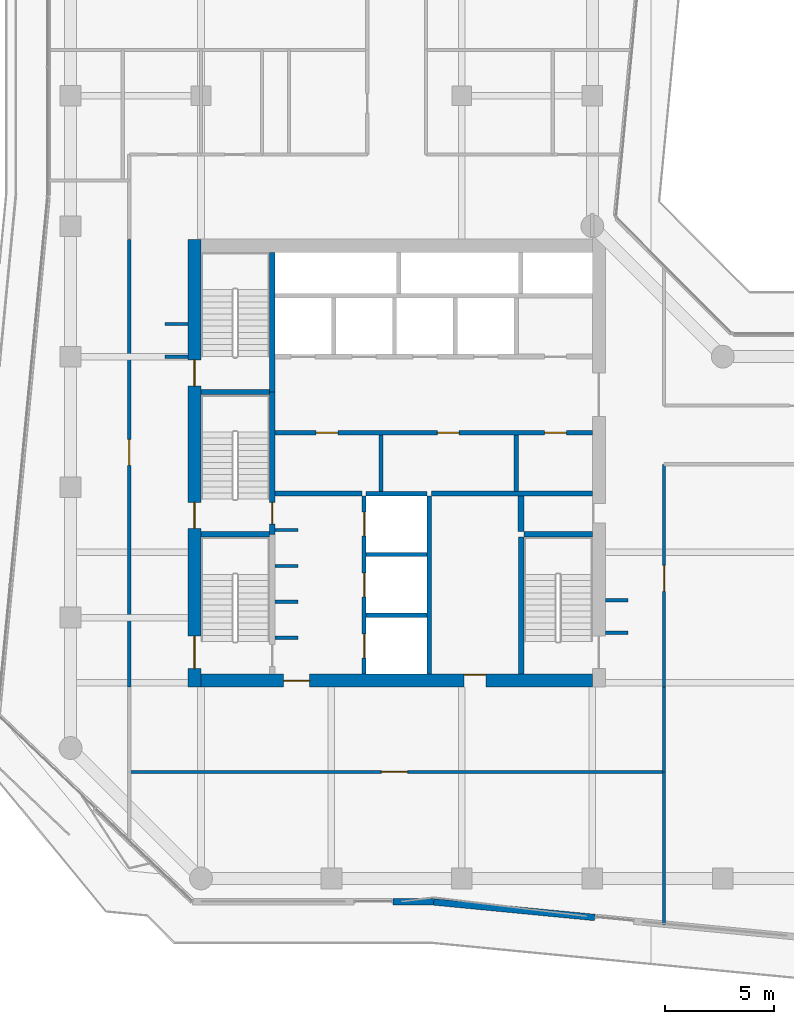
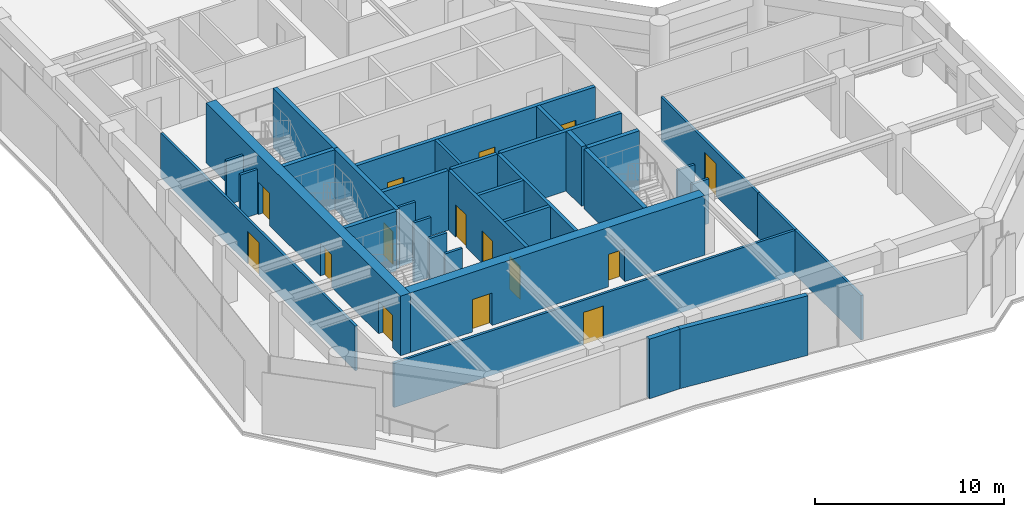
# One storey, part 19 of 23: 34 walls, 15 doors, 15 openings.
"""IFC4 building model written with IfcOpenShell, lengths in metres."""

from ifc_helpers import new_model, si_unit, direction, frame, frame_2d, origin, place, context, subcontext, project, spatial, rectangle, extrude, material, layer, layer_set, type_object, element, fill, save


model = new_model("IFC4")

# Units and contexts
model_context = context("Model", 3, precision=1e-05, world=origin(), true_north=direction((0.0, 1.0)))
body_context = subcontext(model_context, "Body", "Model", "MODEL_VIEW")
ifc_project = project(units=[si_unit("LENGTHUNIT", "METRE"), si_unit("AREAUNIT", "SQUARE_METRE"), si_unit("VOLUMEUNIT", "CUBIC_METRE"), si_unit("PLANEANGLEUNIT", "RADIAN"), si_unit("MASSUNIT", "GRAM", prefix="KILO")], contexts=[model_context])

# Site, building, storey
site_placement = place(None, origin())
site = spatial("IfcSite", under=ifc_project, at=site_placement, CompositionType="ELEMENT")
building_placement = place(site_placement, origin())
building = spatial("IfcBuilding", under=site, at=building_placement, Name="Welwitschia Terrace Campus", CompositionType="ELEMENT")
storey_placement = place(building_placement, frame((0.0, 0.0, 146.60009765625)))
storey = spatial("IfcBuildingStorey", under=building, at=storey_placement, Name="L32", CompositionType="ELEMENT", Elevation=146.60009765625)

# Walls
ifc_material_1 = material(Name="Concrete C32/40", Category="concrete")
ifc_layer_1 = layer(ifc_material_1, 0.175048828125)
ifc_layer_set_1 = layer_set([ifc_layer_1], Name="Concrete C32/40")
wall_type_1 = type_object("IfcWallType", Name="Core partition 175 Concrete C32/40", PredefinedType="PARTITIONING", material=ifc_layer_set_1)
wall_1_placement = place(storey_placement, frame((14.27490234375, 13.800048828125, 0.0), z_axis=(0.0, 0.0, 1.0), x_axis=(0.0, 1.0, 0.0)))
element("IfcWall", 1, at=wall_1_placement, inside=storey, type_object=wall_type_1, Name="Core partition", PredefinedType="PARTITIONING", context=body_context, shape_type="SweptSolid", body=[
    extrude(rectangle(XDim=2.599853515625, YDim=0.175048828125, at=frame_2d((1.2998046875, 0.0))), origin(), (0.0, 0.0, 1.0), 3.849853515625),
])
ifc_material_2 = material(Name="Concrete C32/40", Category="concrete")
ifc_layer_2 = layer(ifc_material_2, 0.22509765625)
ifc_layer_set_2 = layer_set([ifc_layer_2], Name="Concrete C32/40")
wall_type_2 = type_object("IfcWallType", Name="Core partition 225 Concrete C32/40", PredefinedType="PARTITIONING", material=ifc_layer_set_2)
wall_2_placement = place(storey_placement, frame((9.39990234375, 13.699951171875, 0.0), z_axis=(0.0, 0.0, 1.0), x_axis=(1.0, 0.0, 0.0)))
element("IfcWall", 2, at=wall_2_placement, inside=storey, type_object=wall_type_2, Name="Core partition", PredefinedType="PARTITIONING", context=body_context, shape_type="SweptSolid", body=[
    extrude(rectangle(XDim=4.0, YDim=0.22509765625, at=frame_2d((2.0, 0.0))), origin(), (0.0, 0.0, 1.0), 3.849853515625),
])
wall_3_placement = place(storey_placement, frame((16.60009765625, 13.699951171875, 0.0), z_axis=(0.0, 0.0, 1.0), x_axis=(1.0, 0.0, 0.0)))
element("IfcWall", 3, at=wall_3_placement, inside=storey, type_object=wall_type_2, Name="Core partition", PredefinedType="PARTITIONING", context=body_context, shape_type="SweptSolid", body=[
    extrude(rectangle(XDim=7.39990234375, YDim=0.22509765625, at=frame_2d((3.699951171875, 0.0))), origin(), (0.0, 0.0, 1.0), 3.849853515625),
])

# Wall, openings, doors
wall_4_placement = place(storey_placement, frame((9.39990234375, 16.5, 0.0), z_axis=(0.0, 0.0, 1.0), x_axis=(1.0, 0.0, 0.0)))
wall_4 = element("IfcWall", 4, at=wall_4_placement, inside=storey, type_object=wall_type_2, Name="Core partition", PredefinedType="PARTITIONING", context=body_context, shape_type="SweptSolid", body=[
    extrude(rectangle(XDim=14.60009765625, YDim=0.22509765625, at=frame_2d((7.300048828125, 0.0))), origin(), (0.0, 0.0, 1.0), 3.849853515625),
])
opening_1_placement = place(wall_4_placement, frame((1.89990234375, 0.0, 0.0)))
opening_1 = element("IfcOpeningElement", 5, at=opening_1_placement, cuts=wall_4, Name="Opening DR10", PredefinedType="OPENING", context=body_context, shape_type="SweptSolid", body=[
    extrude(rectangle(XDim=1.0, YDim=2.10009765625, at=frame_2d((0.5, 1.050048828125))), frame((0.0, 0.12255859375, 0.0), z_axis=(0.0, -1.0, 0.0), x_axis=(1.0, 0.0, 0.0)), (0.0, 0.0, 1.0), 0.2451171875),
])
opening_2_placement = place(wall_4_placement, frame((7.47509765625, 0.0, 0.0)))
opening_2 = element("IfcOpeningElement", 6, at=opening_2_placement, cuts=wall_4, Name="Opening DR10", PredefinedType="OPENING", context=body_context, shape_type="SweptSolid", body=[
    extrude(rectangle(XDim=1.0, YDim=2.10009765625, at=frame_2d((0.5, 1.050048828125))), frame((0.0, 0.12255859375, 0.0), z_axis=(0.0, -1.0, 0.0), x_axis=(1.0, 0.0, 0.0)), (0.0, 0.0, 1.0), 0.2451171875),
])
opening_3_placement = place(wall_4_placement, frame((12.39990234375, 0.0, 0.0)))
opening_3 = element("IfcOpeningElement", 7, at=opening_3_placement, cuts=wall_4, Name="Opening DR10", PredefinedType="OPENING", context=body_context, shape_type="SweptSolid", body=[
    extrude(rectangle(XDim=1.0, YDim=2.10009765625, at=frame_2d((0.5, 1.050048828125))), frame((0.0, 0.12255859375, 0.0), z_axis=(0.0, -1.0, 0.0), x_axis=(1.0, 0.0, 0.0)), (0.0, 0.0, 1.0), 0.2451171875),
])
ifc_material_3 = material(Name="Steel S275", Category="steel")
door_type_1 = type_object("IfcDoorType", Name="Core door DR10", OperationType="SINGLE_SWING_LEFT", PredefinedType="DOOR", material=ifc_material_3)
door_1_placement = place(opening_1_placement, origin())
door_1 = element("IfcDoor", 8, at=door_1_placement, inside=storey, type_object=door_type_1, Name="Door BAYL1-D", OperationType="SINGLE_SWING_LEFT", OverallHeight=2.10009765625, OverallWidth=1.0, PredefinedType="DOOR", context=body_context, shape_type="SweptSolid", body=[
    extrude(rectangle(XDim=1.0, YDim=2.10009765625, at=frame_2d((0.5, 1.050048828125))), frame((0.0, 0.02490234375, 0.0), z_axis=(0.0, -1.0, 0.0), x_axis=(1.0, 0.0, 0.0)), (0.0, 0.0, 1.0), 0.050048828125),
])
fill(opening_1, door_1)
door_2_placement = place(opening_2_placement, origin())
door_2 = element("IfcDoor", 9, at=door_2_placement, inside=storey, type_object=door_type_1, Name="Door BAYL2-D", OperationType="SINGLE_SWING_RIGHT", OverallHeight=2.10009765625, OverallWidth=1.0, PredefinedType="DOOR", context=body_context, shape_type="SweptSolid", body=[
    extrude(rectangle(XDim=1.0, YDim=2.10009765625, at=frame_2d((0.5, 1.050048828125))), frame((0.0, 0.02490234375, 0.0), z_axis=(0.0, -1.0, 0.0), x_axis=(1.0, 0.0, 0.0)), (0.0, 0.0, 1.0), 0.050048828125),
])
fill(opening_2, door_2)
door_3_placement = place(opening_3_placement, origin())
door_3 = element("IfcDoor", 10, at=door_3_placement, inside=storey, type_object=door_type_1, Name="Door EL-D", OperationType="SINGLE_SWING_RIGHT", OverallHeight=2.10009765625, OverallWidth=1.0, PredefinedType="DOOR", context=body_context, shape_type="SweptSolid", body=[
    extrude(rectangle(XDim=1.0, YDim=2.10009765625, at=frame_2d((0.5, 1.050048828125))), frame((0.0, 0.02490234375, 0.0), z_axis=(0.0, -1.0, 0.0), x_axis=(1.0, 0.0, 0.0)), (0.0, 0.0, 1.0), 0.050048828125),
])
fill(opening_3, door_3)

# Walls
wall_5_placement = place(storey_placement, frame((20.5, 13.800048828125, 0.0), z_axis=(0.0, 0.0, 1.0), x_axis=(0.0, 1.0, 0.0)))
element("IfcWall", 11, at=wall_5_placement, inside=storey, type_object=wall_type_2, Name="Core partition", PredefinedType="PARTITIONING", context=body_context, shape_type="SweptSolid", body=[
    extrude(rectangle(XDim=2.599853515625, YDim=0.22509765625, at=frame_2d((1.2998046875, 0.0))), origin(), (0.0, 0.0, 1.0), 3.849853515625),
])
ifc_material_4 = material(Name="Concrete C32/40", Category="concrete")
ifc_layer_3 = layer(ifc_material_4, 0.27490234375)
ifc_layer_set_3 = layer_set([ifc_layer_3], Name="Concrete C32/40")
wall_type_3 = type_object("IfcWallType", Name="Core partition 275 Concrete C32/40", PredefinedType="PARTITIONING", material=ifc_layer_set_3)
wall_6_placement = place(storey_placement, frame((20.72509765625, 11.949951171875, 0.0), z_axis=(0.0, 0.0, 1.0), x_axis=(0.0, 1.0, 0.0)))
element("IfcWall", 12, at=wall_6_placement, inside=storey, type_object=wall_type_3, Name="Core partition", PredefinedType="PARTITIONING", context=body_context, shape_type="SweptSolid", body=[
    extrude(rectangle(XDim=1.650146484375, YDim=0.27490234375, at=frame_2d((0.8251953125, 0.0))), origin(), (0.0, 0.0, 1.0), 3.849853515625),
])
ifc_material_5 = material(Name="Concrete C50/60", Category="concrete")
ifc_layer_4 = layer(ifc_material_5, 0.14990234375)
ifc_layer_set_4 = layer_set([ifc_layer_4], Name="Concrete C50/60")
wall_type_4 = type_object("IfcWallType", Name="Core wall 150 Concrete C50/60", PredefinedType="SHEAR", material=ifc_layer_set_4)
for number, where, z_axis, x_axis, name in (
    (13, (9.39990234375, 7.074951171875, 0.0), (0.0, 0.0, 1.0), (1.0, 0.0, 0.0), "Core wall"),
    (14, (9.39990234375, 8.72509765625, 0.0), (0.0, 0.0, 1.0), (1.0, 0.0, 0.0), "Core wall"),
    (15, (9.39990234375, 10.375, 0.0), (0.0, 0.0, 1.0), (1.0, 0.0, 0.0), "Core wall"),
    (16, (9.39990234375, 12.02490234375, 0.0), (0.0, 0.0, 1.0), (1.0, 0.0, 0.0), "Core wall"),
):
    element("IfcWall", number, at=place(storey_placement, frame(where, z_axis=z_axis, x_axis=x_axis)), inside=storey, type_object=wall_type_4, Name=name, PredefinedType="SHEAR", context=body_context, shape_type="SweptSolid", body=[
        extrude(rectangle(XDim=1.050048828125, YDim=0.14990234375, at=frame_2d((0.52490234375, 0.0))), origin(), (0.0, 0.0, 1.0), 3.849853515625),
    ])
ifc_material_6 = material(Name="Concrete C50/60", Category="concrete")
ifc_layer_5 = layer(ifc_material_6, 0.199951171875)
ifc_layer_set_5 = layer_set([ifc_layer_5], Name="Concrete C50/60")
wall_type_5 = type_object("IfcWallType", Name="Core wall 200 Concrete C50/60", PredefinedType="SHEAR", material=ifc_layer_set_5)
for number, where, z_axis, x_axis, name in (
    (17, (13.60009765625, 8.10009765625, 0.0), (0.0, 0.0, 1.0), (1.0, 0.0, 0.0), "Core wall"),
    (18, (13.60009765625, 10.89990234375, 0.0), (0.0, 0.0, 1.0), (1.0, 0.0, 0.0), "Core wall"),
    (19, (13.60009765625, 13.699951171875, 0.0), (0.0, 0.0, 1.0), (1.0, 0.0, 0.0), "Core wall"),
):
    element("IfcWall", number, at=place(storey_placement, frame(where, z_axis=z_axis, x_axis=x_axis)), inside=storey, type_object=wall_type_5, Name=name, PredefinedType="SHEAR", context=body_context, shape_type="SweptSolid", body=[
        extrude(rectangle(XDim=2.7998046875, YDim=0.199951171875, at=frame_2d((1.39990234375, 0.0))), origin(), (0.0, 0.0, 1.0), 3.849853515625),
    ])

# Wall, openings, doors
wall_7_placement = place(storey_placement, frame((13.5, 5.39990234375, 0.0), z_axis=(0.0, 0.0, 1.0), x_axis=(0.0, 1.0, 0.0)))
wall_7 = element("IfcWall", 20, at=wall_7_placement, inside=storey, type_object=wall_type_5, Name="Core wall", PredefinedType="SHEAR", context=body_context, shape_type="SweptSolid", body=[
    extrude(rectangle(XDim=8.2001953125, YDim=0.199951171875, at=frame_2d((4.10009765625, 0.0))), origin(), (0.0, 0.0, 1.0), 3.849853515625),
])
opening_4_placement = place(wall_7_placement, frame((0.75, 0.0, 0.0)))
opening_4 = element("IfcOpeningElement", 21, at=opening_4_placement, cuts=wall_7, Name="Opening LD", PredefinedType="OPENING", context=body_context, shape_type="SweptSolid", body=[
    extrude(rectangle(XDim=1.10009765625, YDim=2.10009765625, at=frame_2d((0.550048828125, 1.050048828125))), frame((0.0, 0.10986328125, 0.0), z_axis=(0.0, -1.0, 0.0), x_axis=(1.0, 0.0, 0.0)), (0.0, 0.0, 1.0), 0.219970703125),
])
opening_5_placement = place(wall_7_placement, frame((3.550048828125, 0.0, 0.0)))
opening_5 = element("IfcOpeningElement", 22, at=opening_5_placement, cuts=wall_7, Name="Opening LD", PredefinedType="OPENING", context=body_context, shape_type="SweptSolid", body=[
    extrude(rectangle(XDim=1.10009765625, YDim=2.10009765625, at=frame_2d((0.550048828125, 1.050048828125))), frame((0.0, 0.10986328125, 0.0), z_axis=(0.0, -1.0, 0.0), x_axis=(1.0, 0.0, 0.0)), (0.0, 0.0, 1.0), 0.219970703125),
])
opening_6_placement = place(wall_7_placement, frame((6.35009765625, 0.0, 0.0)))
opening_6 = element("IfcOpeningElement", 23, at=opening_6_placement, cuts=wall_7, Name="Opening LD", PredefinedType="OPENING", context=body_context, shape_type="SweptSolid", body=[
    extrude(rectangle(XDim=1.10009765625, YDim=2.10009765625, at=frame_2d((0.550048828125, 1.050048828125))), frame((0.0, 0.10986328125, 0.0), z_axis=(0.0, -1.0, 0.0), x_axis=(1.0, 0.0, 0.0)), (0.0, 0.0, 1.0), 0.219970703125),
])
ifc_material_7 = material(Name="Stainless steel 304", Category="steel")
door_type_2 = type_object("IfcDoorType", Name="Lift landing door", OperationType="DOUBLE_DOOR_SLIDING", PredefinedType="DOOR", material=ifc_material_7)
door_4_placement = place(opening_4_placement, origin())
door_4 = element("IfcDoor", 24, at=door_4_placement, inside=storey, type_object=door_type_2, Name="Landing door FF1", OperationType="DOUBLE_DOOR_SLIDING", OverallHeight=2.10009765625, OverallWidth=1.10009765625, PredefinedType="DOOR", context=body_context, shape_type="SweptSolid", body=[
    extrude(rectangle(XDim=1.10009765625, YDim=2.10009765625, at=frame_2d((0.550048828125, 1.050048828125))), frame((0.0, 0.02490234375, 0.0), z_axis=(0.0, -1.0, 0.0), x_axis=(1.0, 0.0, 0.0)), (0.0, 0.0, 1.0), 0.050048828125),
])
fill(opening_4, door_4)
door_5_placement = place(opening_5_placement, origin())
door_5 = element("IfcDoor", 25, at=door_5_placement, inside=storey, type_object=door_type_2, Name="Landing door FF2", OperationType="DOUBLE_DOOR_SLIDING", OverallHeight=2.10009765625, OverallWidth=1.10009765625, PredefinedType="DOOR", context=body_context, shape_type="SweptSolid", body=[
    extrude(rectangle(XDim=1.10009765625, YDim=2.10009765625, at=frame_2d((0.550048828125, 1.050048828125))), frame((0.0, 0.02490234375, 0.0), z_axis=(0.0, -1.0, 0.0), x_axis=(1.0, 0.0, 0.0)), (0.0, 0.0, 1.0), 0.050048828125),
])
fill(opening_5, door_5)
door_6_placement = place(opening_6_placement, origin())
door_6 = element("IfcDoor", 26, at=door_6_placement, inside=storey, type_object=door_type_2, Name="Landing door SV1", OperationType="DOUBLE_DOOR_SLIDING", OverallHeight=2.10009765625, OverallWidth=1.10009765625, PredefinedType="DOOR", context=body_context, shape_type="SweptSolid", body=[
    extrude(rectangle(XDim=1.10009765625, YDim=2.10009765625, at=frame_2d((0.550048828125, 1.050048828125))), frame((0.0, 0.02490234375, 0.0), z_axis=(0.0, -1.0, 0.0), x_axis=(1.0, 0.0, 0.0)), (0.0, 0.0, 1.0), 0.050048828125),
])
fill(opening_6, door_6)

# Walls
wall_8_placement = place(storey_placement, frame((16.5, 5.39990234375, 0.0), z_axis=(0.0, 0.0, 1.0), x_axis=(0.0, 1.0, 0.0)))
element("IfcWall", 27, at=wall_8_placement, inside=storey, type_object=wall_type_5, Name="Core wall", PredefinedType="SHEAR", context=body_context, shape_type="SweptSolid", body=[
    extrude(rectangle(XDim=8.2001953125, YDim=0.199951171875, at=frame_2d((4.10009765625, 0.0))), origin(), (0.0, 0.0, 1.0), 3.849853515625),
])
ifc_material_8 = material(Name="Concrete C50/60", Category="concrete")
ifc_layer_6 = layer(ifc_material_8, 0.25)
ifc_layer_set_6 = layer_set([ifc_layer_6], Name="Concrete C50/60")
wall_type_6 = type_object("IfcWallType", Name="Core wall 250 Concrete C50/60", PredefinedType="SHEAR", material=ifc_layer_set_6)
for number, where, z_axis, x_axis, name in (
    (28, (6.0, 11.824951171875, 0.0), (0.0, 0.0, 1.0), (1.0, 0.0, 0.0), "Core wall"),
    (29, (20.85009765625, 11.824951171875, 0.0), (0.0, 0.0, 1.0), (1.0, 0.0, 0.0), "Core wall"),
    (30, (6.0, 18.375, 0.0), (0.0, 0.0, 1.0), (1.0, 0.0, 0.0), "Core wall"),
):
    element("IfcWall", number, at=place(storey_placement, frame(where, z_axis=z_axis, x_axis=x_axis)), inside=storey, type_object=wall_type_6, Name=name, PredefinedType="SHEAR", context=body_context, shape_type="SweptSolid", body=[
        extrude(rectangle(XDim=3.14990234375, YDim=0.25, at=frame_2d((1.574951171875, 0.0))), origin(), (0.0, 0.0, 1.0), 3.849853515625),
    ])

# Wall, opening, door
wall_9_placement = place(storey_placement, frame((9.27490234375, 18.375, 0.0), z_axis=(0.0, 0.0, 1.0), x_axis=(0.0, -1.0, 0.0)))
wall_9 = element("IfcWall", 31, at=wall_9_placement, inside=storey, type_object=wall_type_6, Name="Core wall", PredefinedType="SHEAR", context=body_context, shape_type="SweptSolid", body=[
    extrude(rectangle(XDim=6.550048828125, YDim=0.25, at=frame_2d((3.27490234375, 0.0))), origin(), (0.0, 0.0, 1.0), 3.849853515625),
])
opening_7_placement = place(wall_9_placement, frame((5.074951171875, 0.0, 0.0)))
opening_7 = element("IfcOpeningElement", 32, at=opening_7_placement, cuts=wall_9, Name="Opening DS10", PredefinedType="OPENING", context=body_context, shape_type="SweptSolid", body=[
    extrude(rectangle(XDim=1.0, YDim=2.10009765625, at=frame_2d((0.5, 1.050048828125))), frame((0.0, 0.135009765625, 0.0), z_axis=(0.0, -1.0, 0.0), x_axis=(1.0, 0.0, 0.0)), (0.0, 0.0, 1.0), 0.27001953125),
])
ifc_material_9 = material(Name="Steel S275", Category="steel")
door_type_3 = type_object("IfcDoorType", Name="Core door DS10", OperationType="SINGLE_SWING_LEFT", PredefinedType="DOOR", material=ifc_material_9)
door_7_placement = place(opening_7_placement, origin())
door_7 = element("IfcDoor", 33, at=door_7_placement, inside=storey, type_object=door_type_3, Name="Door S3-FL", OperationType="SINGLE_SWING_RIGHT", OverallHeight=2.10009765625, OverallWidth=1.0, PredefinedType="DOOR", context=body_context, shape_type="SweptSolid", body=[
    extrude(rectangle(XDim=1.0, YDim=2.10009765625, at=frame_2d((0.5, 1.050048828125))), frame((0.0, 0.02490234375, 0.0), z_axis=(0.0, -1.0, 0.0), x_axis=(1.0, 0.0, 0.0)), (0.0, 0.0, 1.0), 0.050048828125),
])
fill(opening_7, door_7)

# Walls
wall_10_placement = place(storey_placement, frame((9.27490234375, 18.375, 0.0), z_axis=(0.0, 0.0, 1.0), x_axis=(0.0, 1.0, 0.0)))
element("IfcWall", 34, at=wall_10_placement, inside=storey, type_object=wall_type_6, Name="Core wall", PredefinedType="SHEAR", context=body_context, shape_type="SweptSolid", body=[
    extrude(rectangle(XDim=6.425048828125, YDim=0.25, at=frame_2d((3.21240234375, 0.0))), origin(), (0.0, 0.0, 1.0), 3.849853515625),
])
wall_11_placement = place(storey_placement, frame((20.72509765625, 5.39990234375, 0.0), z_axis=(0.0, 0.0, 1.0), x_axis=(0.0, 1.0, 0.0)))
element("IfcWall", 35, at=wall_11_placement, inside=storey, type_object=wall_type_6, Name="Core wall", PredefinedType="SHEAR", context=body_context, shape_type="SweptSolid", body=[
    extrude(rectangle(XDim=6.300048828125, YDim=0.25, at=frame_2d((3.14990234375, 0.0))), origin(), (0.0, 0.0, 1.0), 3.849853515625),
])

# Wall, openings, doors
ifc_material_10 = material(Name="Concrete C60/75", Category="concrete")
ifc_layer_7 = layer(ifc_material_10, 0.60009765625)
ifc_layer_set_7 = layer_set([ifc_layer_7], Name="Concrete C60/75")
wall_type_7 = type_object("IfcWallType", Name="Core wall 600 Concrete C60/75", PredefinedType="SHEAR", material=ifc_layer_set_7)
wall_12_placement = place(storey_placement, frame((5.699951171875, 4.800048828125, 0.0), z_axis=(0.0, 0.0, 1.0), x_axis=(0.0, 1.0, 0.0)))
wall_12 = element("IfcWall", 36, at=wall_12_placement, inside=storey, type_object=wall_type_7, Name="Core outer wall", PredefinedType="SHEAR", context=body_context, shape_type="SweptSolid", body=[
    extrude(rectangle(XDim=20.599853515625, YDim=0.60009765625, at=frame_2d((10.2998046875, 0.0))), origin(), (0.0, 0.0, 1.0), 3.849853515625),
])
opening_8_placement = place(wall_12_placement, frame((0.85009765625, 0.0, 0.0)))
opening_8 = element("IfcOpeningElement", 37, at=opening_8_placement, cuts=wall_12, Name="Opening DS15", PredefinedType="OPENING", context=body_context, shape_type="SweptSolid", body=[
    extrude(rectangle(XDim=1.5, YDim=2.10009765625, at=frame_2d((0.75, 1.050048828125))), frame((0.0, 0.31005859375, 0.0), z_axis=(0.0, -1.0, 0.0), x_axis=(1.0, 0.0, 0.0)), (0.0, 0.0, 1.0), 0.6201171875),
])
opening_9_placement = place(wall_12_placement, frame((7.300048828125, 0.0, 0.0)))
opening_9 = element("IfcOpeningElement", 38, at=opening_9_placement, cuts=wall_12, Name="Opening DS12", PredefinedType="OPENING", context=body_context, shape_type="SweptSolid", body=[
    extrude(rectangle(XDim=1.199951171875, YDim=2.10009765625, at=frame_2d((0.60009765625, 1.050048828125))), frame((0.0, 0.31005859375, 0.0), z_axis=(0.0, -1.0, 0.0), x_axis=(1.0, 0.0, 0.0)), (0.0, 0.0, 1.0), 0.6201171875),
])
opening_10_placement = place(wall_12_placement, frame((13.85009765625, 0.0, 0.0)))
opening_10 = element("IfcOpeningElement", 39, at=opening_10_placement, cuts=wall_12, Name="Opening DS12", PredefinedType="OPENING", context=body_context, shape_type="SweptSolid", body=[
    extrude(rectangle(XDim=1.199951171875, YDim=2.10009765625, at=frame_2d((0.60009765625, 1.050048828125))), frame((0.0, 0.31005859375, 0.0), z_axis=(0.0, -1.0, 0.0), x_axis=(1.0, 0.0, 0.0)), (0.0, 0.0, 1.0), 0.6201171875),
])
ifc_material_11 = material(Name="Steel S275", Category="steel")
door_type_4 = type_object("IfcDoorType", Name="Core door DS12", OperationType="SINGLE_SWING_LEFT", PredefinedType="DOOR", material=ifc_material_11)
door_8_placement = place(opening_9_placement, origin())
door_8 = element("IfcDoor", 40, at=door_8_placement, inside=storey, type_object=door_type_4, Name="Door S3-out", OperationType="SINGLE_SWING_LEFT", OverallHeight=2.10009765625, OverallWidth=1.199951171875, PredefinedType="DOOR", context=body_context, shape_type="SweptSolid", body=[
    extrude(rectangle(XDim=1.199951171875, YDim=2.10009765625, at=frame_2d((0.60009765625, 1.050048828125))), frame((0.0, 0.02490234375, 0.0), z_axis=(0.0, -1.0, 0.0), x_axis=(1.0, 0.0, 0.0)), (0.0, 0.0, 1.0), 0.050048828125),
])
fill(opening_9, door_8)
door_9_placement = place(opening_10_placement, origin())
door_9 = element("IfcDoor", 41, at=door_9_placement, inside=storey, type_object=door_type_4, Name="Door S4-out", OperationType="SINGLE_SWING_RIGHT", OverallHeight=2.10009765625, OverallWidth=1.199951171875, PredefinedType="DOOR", context=body_context, shape_type="SweptSolid", body=[
    extrude(rectangle(XDim=1.199951171875, YDim=2.10009765625, at=frame_2d((0.60009765625, 1.050048828125))), frame((0.0, 0.02490234375, 0.0), z_axis=(0.0, -1.0, 0.0), x_axis=(1.0, 0.0, 0.0)), (0.0, 0.0, 1.0), 0.050048828125),
])
fill(opening_10, door_9)
ifc_material_12 = material(Name="Steel S275", Category="steel")
door_type_5 = type_object("IfcDoorType", Name="Core door DS15", OperationType="DOUBLE_DOOR_SINGLE_SWING", PredefinedType="DOOR", material=ifc_material_12)
door_10_placement = place(opening_8_placement, origin())
door_10 = element("IfcDoor", 42, at=door_10_placement, inside=storey, type_object=door_type_5, Name="Door S1-out", OperationType="DOUBLE_DOOR_SINGLE_SWING", OverallHeight=2.10009765625, OverallWidth=1.5, PredefinedType="DOOR", context=body_context, shape_type="SweptSolid", body=[
    extrude(rectangle(XDim=1.5, YDim=2.10009765625, at=frame_2d((0.75, 1.050048828125))), frame((0.0, 0.02490234375, 0.0), z_axis=(0.0, -1.0, 0.0), x_axis=(1.0, 0.0, 0.0)), (0.0, 0.0, 1.0), 0.050048828125),
])
fill(opening_8, door_10)

wall_13_placement = place(storey_placement, frame((24.0, 5.10009765625, 0.0), z_axis=(0.0, 0.0, 1.0), x_axis=(-1.0, 0.0, 0.0)))
wall_13 = element("IfcWall", 43, at=wall_13_placement, inside=storey, type_object=wall_type_7, Name="Core outer wall", PredefinedType="SHEAR", context=body_context, shape_type="SweptSolid", body=[
    extrude(rectangle(XDim=18.0, YDim=0.60009765625, at=frame_2d((9.0, 0.0))), origin(), (0.0, 0.0, 1.0), 3.849853515625),
])
opening_11_placement = place(wall_13_placement, frame((13.0, 0.0, 0.0)))
opening_11 = element("IfcOpeningElement", 44, at=opening_11_placement, cuts=wall_13, Name="Opening DF12", PredefinedType="OPENING", context=body_context, shape_type="SweptSolid", body=[
    extrude(rectangle(XDim=1.199951171875, YDim=2.10009765625, at=frame_2d((0.60009765625, 1.050048828125))), frame((0.0, 0.31005859375, 0.0), z_axis=(0.0, -1.0, 0.0), x_axis=(1.0, 0.0, 0.0)), (0.0, 0.0, 1.0), 0.6201171875),
])
opening_12_placement = place(wall_13_placement, frame((4.89990234375, 0.0, 0.0)))
opening_12 = element("IfcOpeningElement", 45, at=opening_12_placement, cuts=wall_13, Name="Opening DR10", PredefinedType="OPENING", context=body_context, shape_type="SweptSolid", body=[
    extrude(rectangle(XDim=1.0, YDim=2.10009765625, at=frame_2d((0.5, 1.050048828125))), frame((0.0, 0.31005859375, 0.0), z_axis=(0.0, -1.0, 0.0), x_axis=(1.0, 0.0, 0.0)), (0.0, 0.0, 1.0), 0.6201171875),
])
ifc_material_13 = material(Name="Steel S275", Category="steel")
door_type_6 = type_object("IfcDoorType", Name="Core door DF12", OperationType="SINGLE_SWING_LEFT", PredefinedType="DOOR", material=ifc_material_13)
door_11_placement = place(opening_11_placement, origin())
door_11 = element("IfcDoor", 46, at=door_11_placement, inside=storey, type_object=door_type_6, Name="Door FL-out", OperationType="SINGLE_SWING_RIGHT", OverallHeight=2.10009765625, OverallWidth=1.199951171875, PredefinedType="DOOR", context=body_context, shape_type="SweptSolid", body=[
    extrude(rectangle(XDim=1.199951171875, YDim=2.10009765625, at=frame_2d((0.60009765625, 1.050048828125))), frame((0.0, 0.02490234375, 0.0), z_axis=(0.0, -1.0, 0.0), x_axis=(1.0, 0.0, 0.0)), (0.0, 0.0, 1.0), 0.050048828125),
])
fill(opening_11, door_11)
door_12_placement = place(opening_12_placement, origin())
door_12 = element("IfcDoor", 47, at=door_12_placement, inside=storey, type_object=door_type_1, Name="Door F1-out", OperationType="SINGLE_SWING_LEFT", OverallHeight=2.10009765625, OverallWidth=1.0, PredefinedType="DOOR", context=body_context, shape_type="SweptSolid", body=[
    extrude(rectangle(XDim=1.0, YDim=2.10009765625, at=frame_2d((0.5, 1.050048828125))), frame((0.0, -0.23974609375, 0.0), z_axis=(0.0, -1.0, 0.0), x_axis=(1.0, 0.0, 0.0)), (0.0, 0.0, 1.0), 0.050048828125),
])
fill(opening_12, door_12)

# Wall, opening, door
ifc_material_14 = material(Name="Gypsum board on steel studs", Category="steel")
ifc_layer_8 = layer(ifc_material_14, 0.14990234375)
ifc_layer_set_8 = layer_set([ifc_layer_8], Name="Gypsum board on steel studs")
wall_type_8 = type_object("IfcWallType", Name="Corridor partition 150 EI 30", PredefinedType="PARTITIONING", material=ifc_layer_set_8)
wall_14_placement = place(storey_placement, frame((2.699951171875, 4.800048828125, 0.0), z_axis=(0.0, 0.0, 1.0), x_axis=(0.0, 1.0, 0.0)))
wall_14 = element("IfcWall", 48, at=wall_14_placement, inside=storey, type_object=wall_type_8, Name="Partition", PredefinedType="PARTITIONING", context=body_context, shape_type="SweptSolid", body=[
    extrude(rectangle(XDim=20.599853515625, YDim=0.14990234375, at=frame_2d((10.2998046875, 0.0))), origin(), (0.0, 0.0, 1.0), 2.8798828125),
])
opening_13_placement = place(wall_14_placement, frame((10.199951171875, 0.0, 0.0)))
opening_13 = element("IfcOpeningElement", 49, at=opening_13_placement, cuts=wall_14, Name="Opening DI12", PredefinedType="OPENING", context=body_context, shape_type="SweptSolid", body=[
    extrude(rectangle(XDim=1.199951171875, YDim=2.10009765625, at=frame_2d((0.60009765625, 1.050048828125))), frame((0.0, 0.0849609375, 0.0), z_axis=(0.0, -1.0, 0.0), x_axis=(1.0, 0.0, 0.0)), (0.0, 0.0, 1.0), 0.169921875),
])
ifc_material_15 = material(Name="Timber veneered door", Category="wood")
door_type_7 = type_object("IfcDoorType", Name="Interior door DI12", OperationType="NOTDEFINED", PredefinedType="DOOR", material=ifc_material_15)
door_13_placement = place(opening_13_placement, origin())
door_13 = element("IfcDoor", 50, at=door_13_placement, inside=storey, type_object=door_type_7, Name="Door L32 659", OperationType="SINGLE_SWING_RIGHT", OverallHeight=2.10009765625, OverallWidth=1.199951171875, PredefinedType="DOOR", context=body_context, shape_type="SweptSolid", body=[
    extrude(rectangle(XDim=1.199951171875, YDim=2.10009765625, at=frame_2d((0.60009765625, 1.050048828125))), frame((0.0, 0.02490234375, 0.0), z_axis=(0.0, -1.0, 0.0), x_axis=(1.0, 0.0, 0.0)), (0.0, 0.0, 1.0), 0.050048828125),
])
fill(opening_13, door_13)

# Walls
for number, where, z_axis, x_axis, name in (
    (51, (4.35009765625, 20.0, 0.0), (0.0, 0.0, 1.0), (1.0, 0.0, 0.0), "Partition"),
    (52, (4.35009765625, 21.5, 0.0), (0.0, 0.0, 1.0), (1.0, 0.0, 0.0), "Partition"),
    (53, (24.60009765625, 7.300048828125, 0.0), (0.0, 0.0, 1.0), (1.0, 0.0, 0.0), "Partition"),
    (54, (24.60009765625, 8.800048828125, 0.0), (0.0, 0.0, 1.0), (1.0, 0.0, 0.0), "Partition"),
):
    element("IfcWall", number, at=place(storey_placement, frame(where, z_axis=z_axis, x_axis=x_axis)), inside=storey, type_object=wall_type_8, Name=name, PredefinedType="PARTITIONING", context=body_context, shape_type="SweptSolid", body=[
        extrude(rectangle(XDim=1.0498046875, YDim=0.14990234375, at=frame_2d((0.52490234375, 0.0))), origin(), (0.0, 0.0, 1.0), 2.8798828125),
    ])
wall_15_placement = place(storey_placement, frame((27.300048828125, -6.138916015625, 0.0), z_axis=(0.0, 0.0, 1.0), x_axis=(0.0, 1.0, 0.0)))
element("IfcWall", 55, at=wall_15_placement, inside=storey, type_object=wall_type_8, Name="Partition", PredefinedType="PARTITIONING", context=body_context, shape_type="SweptSolid", body=[
    extrude(rectangle(XDim=7.038818359375, YDim=0.14990234375, at=frame_2d((3.51953125, 0.0))), origin(), (0.0, 0.0, 1.0), 2.8798828125),
])

# Wall, opening, door
wall_16_placement = place(storey_placement, frame((27.300048828125, 0.89990234375, 0.0), z_axis=(0.0, 0.0, 1.0), x_axis=(-1.0, 0.0, 0.0)))
wall_16 = element("IfcWall", 56, at=wall_16_placement, inside=storey, type_object=wall_type_8, Name="Partition", PredefinedType="PARTITIONING", context=body_context, shape_type="SweptSolid", body=[
    extrude(rectangle(XDim=24.60009765625, YDim=0.14990234375, at=frame_2d((12.300048828125, 0.0))), origin(), (0.0, 0.0, 1.0), 2.8798828125),
])
opening_14_placement = place(wall_16_placement, frame((11.800048828125, 0.0, 0.0)))
opening_14 = element("IfcOpeningElement", 57, at=opening_14_placement, cuts=wall_16, Name="Opening DI12", PredefinedType="OPENING", context=body_context, shape_type="SweptSolid", body=[
    extrude(rectangle(XDim=1.199951171875, YDim=2.10009765625, at=frame_2d((0.60009765625, 1.050048828125))), frame((0.0, 0.0849609375, 0.0), z_axis=(0.0, -1.0, 0.0), x_axis=(1.0, 0.0, 0.0)), (0.0, 0.0, 1.0), 0.169921875),
])
door_14_placement = place(opening_14_placement, origin())
door_14 = element("IfcDoor", 58, at=door_14_placement, inside=storey, type_object=door_type_7, Name="Door L32 672", OperationType="SINGLE_SWING_LEFT", OverallHeight=2.10009765625, OverallWidth=1.199951171875, PredefinedType="DOOR", context=body_context, shape_type="SweptSolid", body=[
    extrude(rectangle(XDim=1.199951171875, YDim=2.10009765625, at=frame_2d((0.60009765625, 1.050048828125))), frame((0.0, 0.02490234375, 0.0), z_axis=(0.0, -1.0, 0.0), x_axis=(1.0, 0.0, 0.0)), (0.0, 0.0, 1.0), 0.050048828125),
])
fill(opening_14, door_14)

# Wall
wall_17_placement = place(storey_placement, frame((27.300048828125, 0.89990234375, 0.0), z_axis=(0.0, 0.0, 1.0), x_axis=(0.0, 1.0, 0.0)))
element("IfcWall", 59, at=wall_17_placement, inside=storey, type_object=wall_type_8, Name="Partition", PredefinedType="PARTITIONING", context=body_context, shape_type="SweptSolid", body=[
    extrude(rectangle(XDim=3.900146484375, YDim=0.14990234375, at=frame_2d((1.9501953125, 0.0))), origin(), (0.0, 0.0, 1.0), 2.8798828125),
])

# Wall, opening, door
wall_18_placement = place(storey_placement, frame((27.300048828125, 4.800048828125, 0.0), z_axis=(0.0, 0.0, 1.0), x_axis=(0.0, 1.0, 0.0)))
wall_18 = element("IfcWall", 60, at=wall_18_placement, inside=storey, type_object=wall_type_8, Name="Partition", PredefinedType="PARTITIONING", context=body_context, shape_type="SweptSolid", body=[
    extrude(rectangle(XDim=10.25, YDim=0.14990234375, at=frame_2d((5.125, 0.0))), origin(), (0.0, 0.0, 1.0), 2.8798828125),
])
opening_15_placement = place(wall_18_placement, frame((4.39990234375, 0.0, 0.0)))
opening_15 = element("IfcOpeningElement", 61, at=opening_15_placement, cuts=wall_18, Name="Opening DI12", PredefinedType="OPENING", context=body_context, shape_type="SweptSolid", body=[
    extrude(rectangle(XDim=1.199951171875, YDim=2.10009765625, at=frame_2d((0.60009765625, 1.050048828125))), frame((0.0, 0.0849609375, 0.0), z_axis=(0.0, -1.0, 0.0), x_axis=(1.0, 0.0, 0.0)), (0.0, 0.0, 1.0), 0.169921875),
])
door_15_placement = place(opening_15_placement, origin())
door_15 = element("IfcDoor", 62, at=door_15_placement, inside=storey, type_object=door_type_7, Name="Door L32 673", OperationType="SINGLE_SWING_RIGHT", OverallHeight=2.10009765625, OverallWidth=1.199951171875, PredefinedType="DOOR", context=body_context, shape_type="SweptSolid", body=[
    extrude(rectangle(XDim=1.199951171875, YDim=2.10009765625, at=frame_2d((0.60009765625, 1.050048828125))), frame((0.0, 0.02490234375, 0.0), z_axis=(0.0, -1.0, 0.0), x_axis=(1.0, 0.0, 0.0)), (0.0, 0.0, 1.0), 0.050048828125),
])
fill(opening_15, door_15)

# Walls
ifc_material_16 = material(Name="Concrete C40/50", Category="concrete")
ifc_layer_9 = layer(ifc_material_16, 0.300048828125)
ifc_layer_set_9 = layer_set([ifc_layer_9], Name="Concrete C40/50")
wall_type_9 = type_object("IfcWallType", Name="Mass wall 300", PredefinedType="SOLIDWALL", material=ifc_layer_set_9)
wall_19_placement = place(storey_placement, frame((14.829345703125, -5.080078125, 0.0), z_axis=(0.0, 0.0, 1.0), x_axis=(1.0, 0.0, 0.0)))
element("IfcWall", 63, at=wall_19_placement, inside=storey, type_object=wall_type_9, Name="Mass wall L32.3.1", PredefinedType="SOLIDWALL", context=body_context, shape_type="SweptSolid", body=[
    extrude(rectangle(XDim=1.871337890625, YDim=0.300048828125, at=frame_2d((0.935546875, 0.0))), origin(), (0.0, 0.0, 1.0), 3.849853515625),
])
wall_20_placement = place(storey_placement, frame((16.698486328125, -5.079833984375, 0.0), z_axis=(0.0, 0.0, 1.0), x_axis=(0.995395880316, -0.095849055554, 0.0)))
element("IfcWall", 64, at=wall_20_placement, inside=storey, type_object=wall_type_9, Name="Mass wall L32.4.0", PredefinedType="SOLIDWALL", context=body_context, shape_type="SweptSolid", body=[
    extrude(rectangle(XDim=7.45556640625, YDim=0.300048828125, at=frame_2d((3.727783203125, 0.0))), origin(), (0.0, 0.0, 1.0), 3.849853515625),
])

save(model, "model.ifc")
